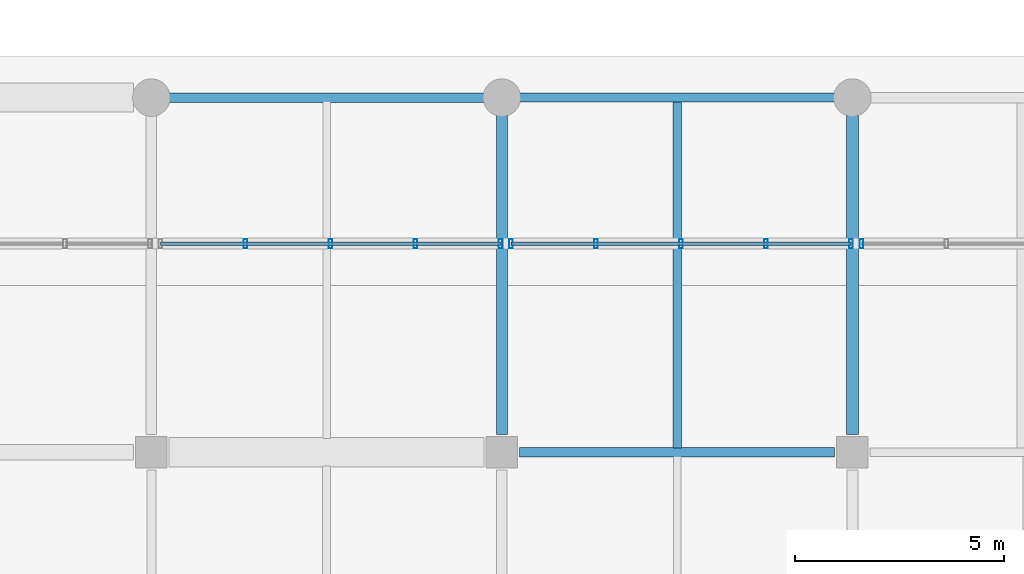
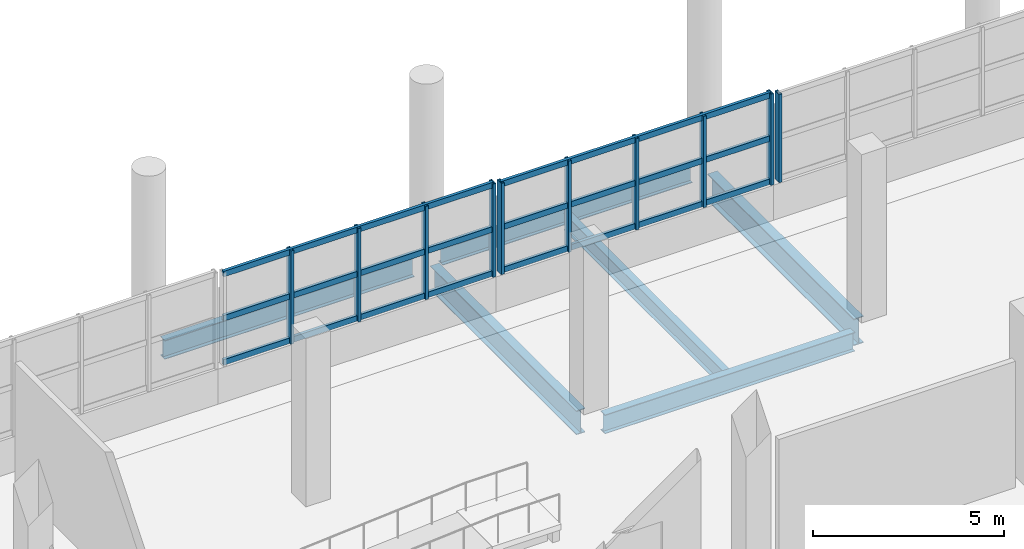
# One storey, part 51 of 107: 16 members, 6 beams, 3 elements without a shape of their own.
"""IFC4 building model written with IfcOpenShell, lengths in metres."""

from ifc_helpers import new_model, si_unit, direction, frame, origin, origin_2d, place, context, subcontext, project, spatial, hollow_rectangle, i_section, extrude, material, material_profile, profile_set, type_object, element, aggregate, save


model = new_model("IFC4")

# Units and contexts
model_context = context("Model", 3, precision=1e-05, world=origin(), true_north=direction((0.0, 1.0)))
body_context = subcontext(model_context, "Body", "Model", "MODEL_VIEW")
ifc_project = project(units=[si_unit("LENGTHUNIT", "METRE"), si_unit("AREAUNIT", "SQUARE_METRE"), si_unit("VOLUMEUNIT", "CUBIC_METRE"), si_unit("PLANEANGLEUNIT", "RADIAN"), si_unit("MASSUNIT", "GRAM", prefix="KILO")], contexts=[model_context])

# Site, building, storey
site_placement = place(None, origin())
site = spatial("IfcSite", under=ifc_project, at=site_placement, CompositionType="ELEMENT")
building_placement = place(site_placement, origin())
building = spatial("IfcBuilding", under=site, at=building_placement, Name="Solvento Point Concert Hall", CompositionType="ELEMENT")
storey_placement = place(building_placement, origin())
storey = spatial("IfcBuildingStorey", under=building, at=storey_placement, Name="L00", CompositionType="ELEMENT", Elevation=0.0)

# Beams
ifc_material_1 = material(Name="Structural Steel ASTM A992 Grade 50", Category="steel")
ifc_material_profile_1 = material_profile(ifc_material_1, i_section(OverallWidth=0.20947265625, OverallDepth=0.532958984375, WebThickness=0.01025390625, FlangeThickness=0.015625, at=origin_2d()), Name="W21X62")
ifc_profile_set_1 = profile_set([ifc_material_profile_1], Name="Structural Steel ASTM A992 Grade 50")
beam_type_1 = type_object("IfcBeamType", Name="Beam_W21X62", PredefinedType="BEAM", material=ifc_profile_set_1)
beam_1_placement = place(storey_placement, frame((171.0, 17.09912109375, -0.680419921875), z_axis=(0.0, 1.0, 0.0), x_axis=(-1.0, 0.0, 0.0)))
element("IfcBeam", 1, at=beam_1_placement, inside=storey, type_object=beam_type_1, Name="Secondary floor joist B-25 L00", PredefinedType="BEAM", context=body_context, shape_type="SweptSolid", body=[
    extrude(i_section(OverallWidth=0.20947265625, OverallDepth=0.532958984375, WebThickness=0.01025390625, FlangeThickness=0.015625, at=origin_2d()), origin(), (0.0, 0.0, 1.0), 8.308837890625),
])
ifc_material_2 = material(Name="Structural Steel ASTM A992 Grade 50", Category="steel")
ifc_material_profile_2 = material_profile(ifc_material_2, i_section(OverallWidth=0.214111328125, OverallDepth=0.549072265625, WebThickness=0.0146484375, FlangeThickness=0.023681640625, at=origin_2d()), Name="W21X93")
ifc_profile_set_2 = profile_set([ifc_material_profile_2], Name="Structural Steel ASTM A992 Grade 50")
beam_type_2 = type_object("IfcBeamType", Name="Beam_W21X93", PredefinedType="BEAM", material=ifc_profile_set_2)
beam_2_placement = place(storey_placement, frame((167.22412109375, 25.5, -0.5185546875), z_axis=(1.0, 0.0, 0.0), x_axis=(0.0, 1.0, 0.0)))
element("IfcBeam", 2, at=beam_2_placement, inside=storey, type_object=beam_type_2, Name="Primary girder B-48 L00", PredefinedType="BEAM", context=body_context, shape_type="SweptSolid", body=[
    extrude(i_section(OverallWidth=0.214111328125, OverallDepth=0.549072265625, WebThickness=0.0146484375, FlangeThickness=0.023681640625, at=origin_2d()), origin(), (0.0, 0.0, 1.0), 7.5517578125),
])
ifc_material_3 = material(Name="Structural Steel ASTM A992 Grade 50", Category="steel")
ifc_material_profile_3 = material_profile(ifc_material_3, i_section(OverallWidth=0.228515625, OverallDepth=0.60791015625, WebThickness=0.01123046875, FlangeThickness=0.017333984375, at=origin_2d()), Name="W24X76")
ifc_profile_set_3 = profile_set([ifc_material_profile_3], Name="Structural Steel ASTM A992 Grade 50")
beam_type_3 = type_object("IfcBeamType", Name="Beam_W24X76", PredefinedType="BEAM", material=ifc_profile_set_3)
beam_3_placement = place(storey_placement, frame((167.22412109375, 17.0, -0.718017578125), z_axis=(1.0, 0.0, 0.0), x_axis=(0.0, 1.0, 0.0)))
element("IfcBeam", 3, at=beam_3_placement, inside=storey, type_object=beam_type_3, Name="Primary girder B-42 L00", PredefinedType="BEAM", context=body_context, shape_type="SweptSolid", body=[
    extrude(i_section(OverallWidth=0.228515625, OverallDepth=0.60791015625, WebThickness=0.01123046875, FlangeThickness=0.017333984375, at=origin_2d()), origin(), (0.0, 0.0, 1.0), 7.5517578125),
])
beam_4_placement = place(storey_placement, frame((158.823974609375, 25.5, -0.548095703125), z_axis=(1.0, 0.0, 0.0), x_axis=(0.0, 1.0, 0.0)))
element("IfcBeam", 4, at=beam_4_placement, inside=storey, type_object=beam_type_3, Name="Primary girder B-42 L00", PredefinedType="BEAM", context=body_context, shape_type="SweptSolid", body=[
    extrude(i_section(OverallWidth=0.228515625, OverallDepth=0.60791015625, WebThickness=0.01123046875, FlangeThickness=0.017333984375, at=origin_2d()), origin(), (0.0, 0.0, 1.0), 7.552001953125),
])
ifc_material_4 = material(Name="Structural Steel ASTM A992 Grade 50", Category="steel")
ifc_material_profile_4 = material_profile(ifc_material_4, i_section(OverallWidth=0.26806640625, OverallDepth=0.77001953125, WebThickness=0.015625, FlangeThickness=0.025390625, at=origin_2d()), Name="W30X132")
ifc_profile_set_4 = profile_set([ifc_material_profile_4], Name="Structural Steel ASTM A992 Grade 50")
beam_type_4 = type_object("IfcBeamType", Name="Girder_W30X132", PredefinedType="USERDEFINED", material=ifc_profile_set_4)
beam_5_placement = place(storey_placement, frame((166.800048828125, 17.424072265625, -0.799072265625), z_axis=(0.0, 1.0, 0.0), x_axis=(-1.0, 0.0, 0.0)))
element("IfcBeam", 5, at=beam_5_placement, inside=storey, type_object=beam_type_4, Name="Primary girder B-68 L00", ObjectType="GIRDER", PredefinedType="USERDEFINED", context=body_context, shape_type="SweptSolid", body=[
    extrude(i_section(OverallWidth=0.26806640625, OverallDepth=0.77001953125, WebThickness=0.015625, FlangeThickness=0.025390625, at=origin_2d()), origin(), (0.0, 0.0, 1.0), 7.65185546875),
])
ifc_material_5 = material(Name="Structural Steel ASTM A992 Grade 50", Category="steel")
ifc_material_profile_5 = material_profile(ifc_material_5, i_section(OverallWidth=0.2919921875, OverallDepth=0.85888671875, WebThickness=0.01708984375, FlangeThickness=0.031005859375, at=origin_2d()), Name="W33X169")
ifc_profile_set_5 = profile_set([ifc_material_profile_5], Name="Structural Steel ASTM A992 Grade 50")
beam_type_5 = type_object("IfcBeamType", Name="Girder_W33X169", PredefinedType="USERDEFINED", material=ifc_profile_set_5)
beam_6_placement = place(storey_placement, frame((175.199951171875, 17.424072265625, -0.843505859375), z_axis=(0.0, 1.0, 0.0), x_axis=(-1.0, 0.0, 0.0)))
element("IfcBeam", 6, at=beam_6_placement, inside=storey, type_object=beam_type_5, Name="Primary girder B-33 L00", ObjectType="GIRDER", PredefinedType="USERDEFINED", context=body_context, shape_type="SweptSolid", body=[
    extrude(i_section(OverallWidth=0.2919921875, OverallDepth=0.85888671875, WebThickness=0.01708984375, FlangeThickness=0.031005859375, at=origin_2d()), origin(), (0.0, 0.0, 1.0), 7.65185546875),
])

# Curtain wall, members
ifc_material_6 = material(Name="Anodized Bronze Aluminium", Category="aluminium")
curtain_wall_type = type_object("IfcCurtainWallType", Name="CurtainWall_CafeVeranda", PredefinedType="USERDEFINED", material=ifc_material_6)
curtain_wall_1_placement = place(storey_placement, origin())
curtain_wall_1 = element("IfcCurtainWall", 7, at=curtain_wall_1_placement, inside=storey, type_object=curtain_wall_type, Name="Unitised curtain wall CW-42 UCW-L00-040", ObjectType="UNITISED CURTAIN WALL", PredefinedType="USERDEFINED")
ifc_material_7 = material(Name="Anodized Bronze Aluminium", Category="aluminium")
ifc_material_profile_6 = material_profile(ifc_material_7, hollow_rectangle(XDim=0.090087890625, YDim=0.219970703125, WallThickness=0.00439453125, at=origin_2d()), Name="CW-MUL-90X220")
ifc_profile_set_6 = profile_set([ifc_material_profile_6], Name="Anodized Bronze Aluminium")
member_type_1 = type_object("IfcMemberType", Name="Mullion_90x220", PredefinedType="MULLION", material=ifc_profile_set_6)
member_1_placement = place(storey_placement, frame((160.657470703125, 22.0, 1.1201171875), z_axis=(0.0, 0.0, 1.0), x_axis=(1.0, 0.0, 0.0)))
member_1 = element("IfcMember", 8, at=member_1_placement, type_object=member_type_1, Name="Curtain wall mullion ML-02", PredefinedType="MULLION", context=body_context, shape_type="SweptSolid", body=[
    extrude(hollow_rectangle(XDim=0.090087890625, YDim=0.219970703125, WallThickness=0.00439453125, at=origin_2d()), origin(), (0.0, 0.0, 1.0), 2.98486328125),
])
member_2_placement = place(storey_placement, frame((162.695068359375, 22.0, 1.1201171875), z_axis=(0.0, 0.0, 1.0), x_axis=(1.0, 0.0, 0.0)))
member_2 = element("IfcMember", 9, at=member_2_placement, type_object=member_type_1, Name="Curtain wall mullion ML-02", PredefinedType="MULLION", context=body_context, shape_type="SweptSolid", body=[
    extrude(hollow_rectangle(XDim=0.090087890625, YDim=0.219970703125, WallThickness=0.00439453125, at=origin_2d()), origin(), (0.0, 0.0, 1.0), 2.98486328125),
])
member_3_placement = place(storey_placement, frame((164.732421875, 22.0, 1.1201171875), z_axis=(0.0, 0.0, 1.0), x_axis=(1.0, 0.0, 0.0)))
member_3 = element("IfcMember", 10, at=member_3_placement, type_object=member_type_1, Name="Curtain wall mullion ML-02", PredefinedType="MULLION", context=body_context, shape_type="SweptSolid", body=[
    extrude(hollow_rectangle(XDim=0.090087890625, YDim=0.219970703125, WallThickness=0.00439453125, at=origin_2d()), origin(), (0.0, 0.0, 1.0), 2.98486328125),
])
member_4_placement = place(storey_placement, frame((166.77001953125, 22.0, 1.1201171875), z_axis=(0.0, 0.0, 1.0), x_axis=(1.0, 0.0, 0.0)))
member_4 = element("IfcMember", 11, at=member_4_placement, type_object=member_type_1, Name="Curtain wall mullion ML-02", PredefinedType="MULLION", context=body_context, shape_type="SweptSolid", body=[
    extrude(hollow_rectangle(XDim=0.090087890625, YDim=0.219970703125, WallThickness=0.00439453125, at=origin_2d()), origin(), (0.0, 0.0, 1.0), 2.98486328125),
])

curtain_wall_2_placement = place(storey_placement, origin())
curtain_wall_2 = element("IfcCurtainWall", 12, at=curtain_wall_2_placement, inside=storey, type_object=curtain_wall_type, Name="Unitised curtain wall CW-42 UCW-L00-041", ObjectType="UNITISED CURTAIN WALL", PredefinedType="USERDEFINED")
member_5_placement = place(storey_placement, frame((167.02001953125, 22.0, 1.1201171875), z_axis=(0.0, 0.0, 1.0), x_axis=(1.0, 0.0, 0.0)))
member_5 = element("IfcMember", 13, at=member_5_placement, type_object=member_type_1, Name="Curtain wall mullion ML-02", PredefinedType="MULLION", context=body_context, shape_type="SweptSolid", body=[
    extrude(hollow_rectangle(XDim=0.090087890625, YDim=0.219970703125, WallThickness=0.00439453125, at=origin_2d()), origin(), (0.0, 0.0, 1.0), 2.9169921875),
])
member_6_placement = place(storey_placement, frame((169.0576171875, 22.0, 1.1201171875), z_axis=(0.0, 0.0, 1.0), x_axis=(1.0, 0.0, 0.0)))
member_6 = element("IfcMember", 14, at=member_6_placement, type_object=member_type_1, Name="Curtain wall mullion ML-02", PredefinedType="MULLION", context=body_context, shape_type="SweptSolid", body=[
    extrude(hollow_rectangle(XDim=0.090087890625, YDim=0.219970703125, WallThickness=0.00439453125, at=origin_2d()), origin(), (0.0, 0.0, 1.0), 2.9169921875),
])
member_7_placement = place(storey_placement, frame((171.094970703125, 22.0, 1.1201171875), z_axis=(0.0, 0.0, 1.0), x_axis=(1.0, 0.0, 0.0)))
member_7 = element("IfcMember", 15, at=member_7_placement, type_object=member_type_1, Name="Curtain wall mullion ML-02", PredefinedType="MULLION", context=body_context, shape_type="SweptSolid", body=[
    extrude(hollow_rectangle(XDim=0.090087890625, YDim=0.219970703125, WallThickness=0.00439453125, at=origin_2d()), origin(), (0.0, 0.0, 1.0), 2.9169921875),
])
member_8_placement = place(storey_placement, frame((173.132568359375, 22.0, 1.1201171875), z_axis=(0.0, 0.0, 1.0), x_axis=(1.0, 0.0, 0.0)))
member_8 = element("IfcMember", 16, at=member_8_placement, type_object=member_type_1, Name="Curtain wall mullion ML-02", PredefinedType="MULLION", context=body_context, shape_type="SweptSolid", body=[
    extrude(hollow_rectangle(XDim=0.090087890625, YDim=0.219970703125, WallThickness=0.00439453125, at=origin_2d()), origin(), (0.0, 0.0, 1.0), 2.9169921875),
])
member_9_placement = place(storey_placement, frame((175.169921875, 22.0, 1.1201171875), z_axis=(0.0, 0.0, 1.0), x_axis=(1.0, 0.0, 0.0)))
member_9 = element("IfcMember", 17, at=member_9_placement, type_object=member_type_1, Name="Curtain wall mullion ML-02", PredefinedType="MULLION", context=body_context, shape_type="SweptSolid", body=[
    extrude(hollow_rectangle(XDim=0.090087890625, YDim=0.219970703125, WallThickness=0.00439453125, at=origin_2d()), origin(), (0.0, 0.0, 1.0), 2.9169921875),
])

# Curtain wall, member
curtain_wall_3_placement = place(storey_placement, origin())
curtain_wall_3 = element("IfcCurtainWall", 18, at=curtain_wall_3_placement, inside=storey, type_object=curtain_wall_type, Name="Unitised curtain wall CW-42 UCW-L00-042", ObjectType="UNITISED CURTAIN WALL", PredefinedType="USERDEFINED")
member_10_placement = place(storey_placement, frame((175.419921875, 22.0, 1.1201171875), z_axis=(0.0, 0.0, 1.0), x_axis=(1.0, 0.0, 0.0)))
member_10 = element("IfcMember", 19, at=member_10_placement, type_object=member_type_1, Name="Curtain wall mullion ML-02", PredefinedType="MULLION", context=body_context, shape_type="SweptSolid", body=[
    extrude(hollow_rectangle(XDim=0.090087890625, YDim=0.219970703125, WallThickness=0.00439453125, at=origin_2d()), origin(), (0.0, 0.0, 1.0), 2.81787109375),
])
aggregate(curtain_wall_3, [member_10])

# Member
ifc_material_8 = material(Name="Anodized Bronze Aluminium", Category="aluminium")
ifc_material_profile_7 = material_profile(ifc_material_8, hollow_rectangle(XDim=0.090087890625, YDim=0.179931640625, WallThickness=0.00439453125, at=origin_2d()), Name="CW-TRN-90X180")
ifc_profile_set_7 = profile_set([ifc_material_profile_7], Name="Anodized Bronze Aluminium")
member_type_2 = type_object("IfcMemberType", Name="Transom_90x180", PredefinedType="USERDEFINED", material=ifc_profile_set_7)
member_11_placement = place(storey_placement, frame((158.6201171875, 22.0, 1.199951171875), z_axis=(1.0, 0.0, 0.0), x_axis=(0.0, 1.0, 0.0)))
member_11 = element("IfcMember", 20, at=member_11_placement, type_object=member_type_2, Name="Curtain wall transom TR-02", ObjectType="TRANSOM", PredefinedType="USERDEFINED", context=body_context, shape_type="SweptSolid", body=[
    extrude(hollow_rectangle(XDim=0.090087890625, YDim=0.179931640625, WallThickness=0.00439453125, at=origin_2d()), origin(), (0.0, 0.0, 1.0), 8.14990234375),
])

member_12_placement = place(storey_placement, frame((158.6201171875, 22.0, 2.612548828125), z_axis=(1.0, 0.0, 0.0), x_axis=(0.0, 1.0, 0.0)))
member_12 = element("IfcMember", 21, at=member_12_placement, type_object=member_type_2, Name="Curtain wall transom TR-02", ObjectType="TRANSOM", PredefinedType="USERDEFINED", context=body_context, shape_type="SweptSolid", body=[
    extrude(hollow_rectangle(XDim=0.090087890625, YDim=0.179931640625, WallThickness=0.00439453125, at=origin_2d()), origin(), (0.0, 0.0, 1.0), 8.14990234375),
])

member_13_placement = place(storey_placement, frame((158.6201171875, 22.0, 4.02490234375), z_axis=(1.0, 0.0, 0.0), x_axis=(0.0, 1.0, 0.0)))
member_13 = element("IfcMember", 22, at=member_13_placement, type_object=member_type_2, Name="Curtain wall transom TR-02", ObjectType="TRANSOM", PredefinedType="USERDEFINED", context=body_context, shape_type="SweptSolid", body=[
    extrude(hollow_rectangle(XDim=0.090087890625, YDim=0.179931640625, WallThickness=0.00439453125, at=origin_2d()), origin(), (0.0, 0.0, 1.0), 8.14990234375),
])

aggregate(curtain_wall_1, [member_1, member_2, member_3, member_4, member_11, member_12, member_13])

member_14_placement = place(storey_placement, frame((167.02001953125, 22.0, 1.199951171875), z_axis=(1.0, 0.0, 0.0), x_axis=(0.0, 1.0, 0.0)))
member_14 = element("IfcMember", 23, at=member_14_placement, type_object=member_type_2, Name="Curtain wall transom TR-02", ObjectType="TRANSOM", PredefinedType="USERDEFINED", context=body_context, shape_type="SweptSolid", body=[
    extrude(hollow_rectangle(XDim=0.090087890625, YDim=0.179931640625, WallThickness=0.00439453125, at=origin_2d()), origin(), (0.0, 0.0, 1.0), 8.14990234375),
])

member_15_placement = place(storey_placement, frame((167.02001953125, 22.0, 2.57861328125), z_axis=(1.0, 0.0, 0.0), x_axis=(0.0, 1.0, 0.0)))
member_15 = element("IfcMember", 24, at=member_15_placement, type_object=member_type_2, Name="Curtain wall transom TR-02", ObjectType="TRANSOM", PredefinedType="USERDEFINED", context=body_context, shape_type="SweptSolid", body=[
    extrude(hollow_rectangle(XDim=0.090087890625, YDim=0.179931640625, WallThickness=0.00439453125, at=origin_2d()), origin(), (0.0, 0.0, 1.0), 8.14990234375),
])

member_16_placement = place(storey_placement, frame((167.02001953125, 22.0, 3.95703125), z_axis=(1.0, 0.0, 0.0), x_axis=(0.0, 1.0, 0.0)))
member_16 = element("IfcMember", 25, at=member_16_placement, type_object=member_type_2, Name="Curtain wall transom TR-02", ObjectType="TRANSOM", PredefinedType="USERDEFINED", context=body_context, shape_type="SweptSolid", body=[
    extrude(hollow_rectangle(XDim=0.090087890625, YDim=0.179931640625, WallThickness=0.00439453125, at=origin_2d()), origin(), (0.0, 0.0, 1.0), 8.14990234375),
])

aggregate(curtain_wall_2, [member_5, member_6, member_7, member_8, member_9, member_14, member_15, member_16])

save(model, "model.ifc")
